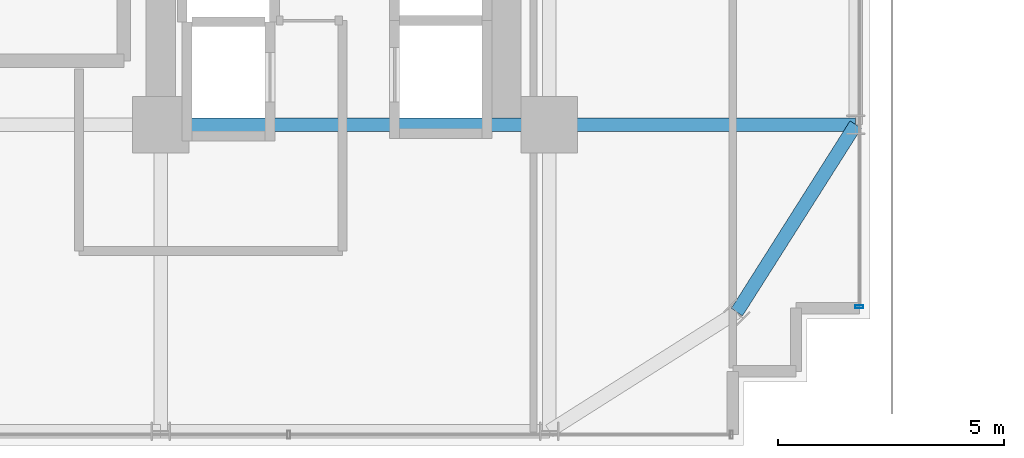
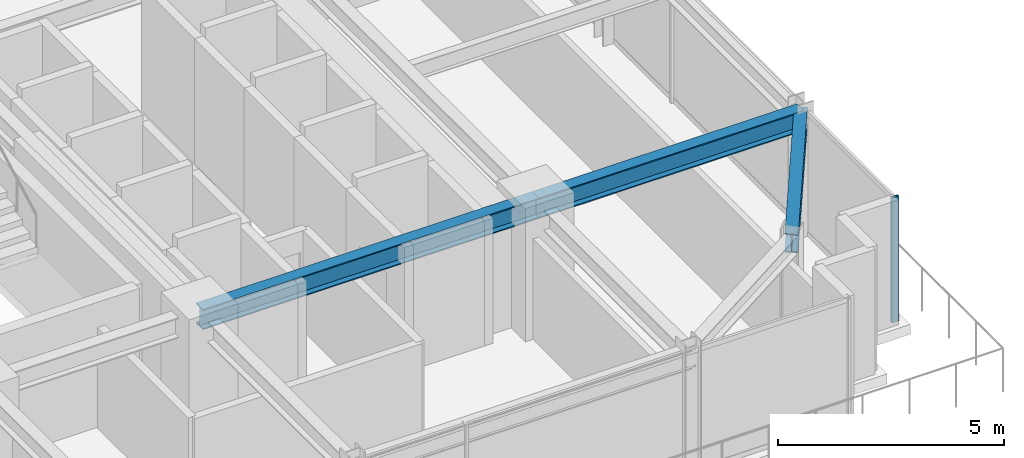
# One storey, part 12 of 34: 3 beams, 1 member, 1 element without a shape of its own.
"""IFC4 building model written with IfcOpenShell, lengths in metres."""

from ifc_helpers import new_model, si_unit, direction, frame, origin, origin_2d, place, context, subcontext, project, spatial, hollow_rectangle, i_section, extrude, source, transform, mapped, material, material_profile, profile_set, type_object, element, aggregate, save


model = new_model("IFC4")

# Units and contexts
model_context = context("Model", 3, precision=1e-05, world=origin(), true_north=direction((0.0, 1.0)))
body_context = subcontext(model_context, "Body", "Model", "MODEL_VIEW")
ifc_project = project(units=[si_unit("LENGTHUNIT", "METRE"), si_unit("AREAUNIT", "SQUARE_METRE"), si_unit("VOLUMEUNIT", "CUBIC_METRE"), si_unit("PLANEANGLEUNIT", "RADIAN"), si_unit("MASSUNIT", "GRAM", prefix="KILO")], contexts=[model_context])

# Site, building, storey
site_placement = place(None, origin())
site = spatial("IfcSite", under=ifc_project, at=site_placement, CompositionType="ELEMENT")
building_placement = place(site_placement, origin())
building = spatial("IfcBuilding", under=site, at=building_placement, Name="Nahalor Promenade Grand Hotel", CompositionType="ELEMENT")
storey_placement = place(building_placement, frame((0.0, 0.0, 88.300048828125)))
storey = spatial("IfcBuildingStorey", under=building, at=storey_placement, Name="L21", CompositionType="ELEMENT", Elevation=88.300048828125)

# Beams
ifc_material_1 = material(Name="Steel S355JR", Category="steel")
ifc_material_profile_1 = material_profile(ifc_material_1, i_section(OverallWidth=0.3, OverallDepth=0.5, WebThickness=0.0145, FlangeThickness=0.028, at=origin_2d()), Name="HEB 500")
ifc_profile_set_1 = profile_set([ifc_material_profile_1], Name="Steel S355JR")
beam_type_1 = type_object("IfcBeamType", Name="Beam-Spandrel-HEB500", PredefinedType="SPANDREL", material=ifc_profile_set_1)
shared_shape_1 = source(origin(), body_context, "Body", "SweptSolid", [
    extrude(i_section(OverallWidth=0.3, OverallDepth=0.5, WebThickness=0.0145, FlangeThickness=0.028, at=origin_2d()), origin(), (0.0, 0.0, 1.0), 4.9130859375),
])
beam_1_placement = place(storey_placement, frame((21.14990234375, -21.14990234375, 3.1298828125), z_axis=(0.535321591403, 0.844648325505, 0.0), x_axis=(-0.844648325505, 0.535321591403, 0.0)))
element("IfcBeam", 1, at=beam_1_placement, inside=storey, type_object=beam_type_1, Name="BM-L21-SPC-SE-2", PredefinedType="SPANDREL", context=body_context, shape_type="MappedRepresentation", body=[
    mapped(shared_shape_1, transform((0.0, 0.0, 0.0), scale=1.0)),
])
ifc_material_profile_2 = material_profile(ifc_material_1, i_section(OverallWidth=0.3, OverallDepth=0.55, WebThickness=0.015, FlangeThickness=0.029, at=origin_2d()), Name="HEB 550")
ifc_profile_set_2 = profile_set([ifc_material_profile_2], Name="Steel S355JR")
beam_type_2 = type_object("IfcBeamType", Name="Beam-Girder-HEB550", PredefinedType="BEAM", material=ifc_profile_set_2)
shared_shape_2 = source(origin(), body_context, "Body", "SweptSolid", [
    extrude(i_section(OverallWidth=0.3, OverallDepth=0.55, WebThickness=0.015, FlangeThickness=0.029, at=origin_2d()), origin(), (0.0, 0.0, 1.0), 6.780029296875),
])
beam_2_placement = place(storey_placement, frame((17.0, -17.0, 3.10498046875), z_axis=(1.0, 0.0, 0.0), x_axis=(0.0, 1.0, 0.0)))
element("IfcBeam", 2, at=beam_2_placement, inside=storey, type_object=beam_type_2, Name="BM-L21-GX-0-6", PredefinedType="BEAM", context=body_context, shape_type="MappedRepresentation", body=[
    mapped(shared_shape_2, transform((0.0, 0.0, 0.0), scale=1.0)),
])
shared_shape_3 = source(origin(), body_context, "Body", "SweptSolid", [
    extrude(i_section(OverallWidth=0.3, OverallDepth=0.55, WebThickness=0.015, FlangeThickness=0.029, at=origin_2d()), origin(), (0.0, 0.0, 1.0), 8.60009765625),
])
beam_3_placement = place(storey_placement, frame((8.39990234375, -17.0, 3.10498046875), z_axis=(1.0, 0.0, 0.0), x_axis=(0.0, 1.0, 0.0)))
element("IfcBeam", 3, at=beam_3_placement, inside=storey, type_object=beam_type_2, Name="BM-L21-GX-0-5", PredefinedType="BEAM", context=body_context, shape_type="MappedRepresentation", body=[
    mapped(shared_shape_3, transform((0.0, 0.0, 0.0), scale=1.0)),
])

# Curtain wall, member
ifc_material_2 = material(Name="Anodised Bronze Aluminium EN AW-6063 T6", Category="aluminium")
curtain_wall_type = type_object("IfcCurtainWallType", Name="CW2 Typical Hotel Flush Bronze Unitised Curtain Wall", PredefinedType="USERDEFINED", material=ifc_material_2)
curtain_wall_placement = place(storey_placement, origin())
curtain_wall = element("IfcCurtainWall", 4, at=curtain_wall_placement, inside=storey, type_object=curtain_wall_type, Name="L21 Curtain Wall CW-L21-E-1", ObjectType="UNITISED_CURTAIN_WALL", PredefinedType="USERDEFINED")
ifc_material_profile_3 = material_profile(ifc_material_2, hollow_rectangle(XDim=0.065, YDim=0.18, WallThickness=0.004, at=origin_2d()), Name="CWM 65x180x4")
ifc_profile_set_3 = profile_set([ifc_material_profile_3], Name="Anodised Bronze Aluminium EN AW-6063 T6")
member_type = type_object("IfcMemberType", Name="CWM2 Typical Bronze Mullion 65x180", PredefinedType="MULLION", material=ifc_profile_set_3)
shared_shape_4 = source(origin(), body_context, "Body", "SweptSolid", [
    extrude(hollow_rectangle(XDim=0.065, YDim=0.18, WallThickness=0.004, at=origin_2d()), origin(), (0.0, 0.0, 1.0), 3.3798828125),
])
member_placement = place(storey_placement, frame((23.860107421875, -21.027587890625, 0.0), z_axis=(0.0, 0.0, 1.0), x_axis=(0.0, 1.0, 0.0)))
member = element("IfcMember", 5, at=member_placement, type_object=member_type, Name="CW-L21-E-1 Mullion 0", PredefinedType="MULLION", context=body_context, shape_type="MappedRepresentation", body=[
    mapped(shared_shape_4, transform((0.0, 0.0, 0.0), scale=1.0)),
])
aggregate(curtain_wall, [member])

save(model, "model.ifc")
